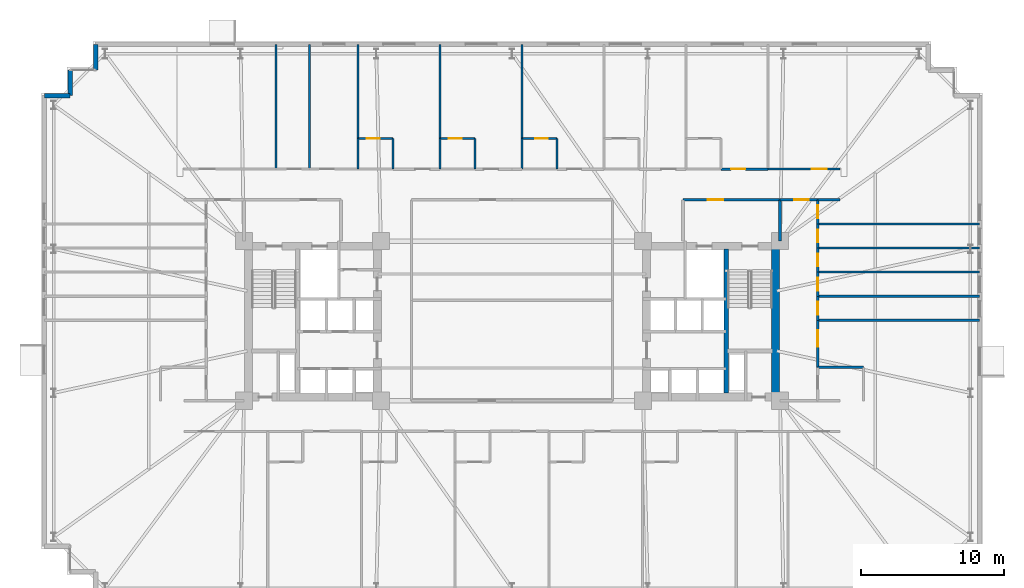
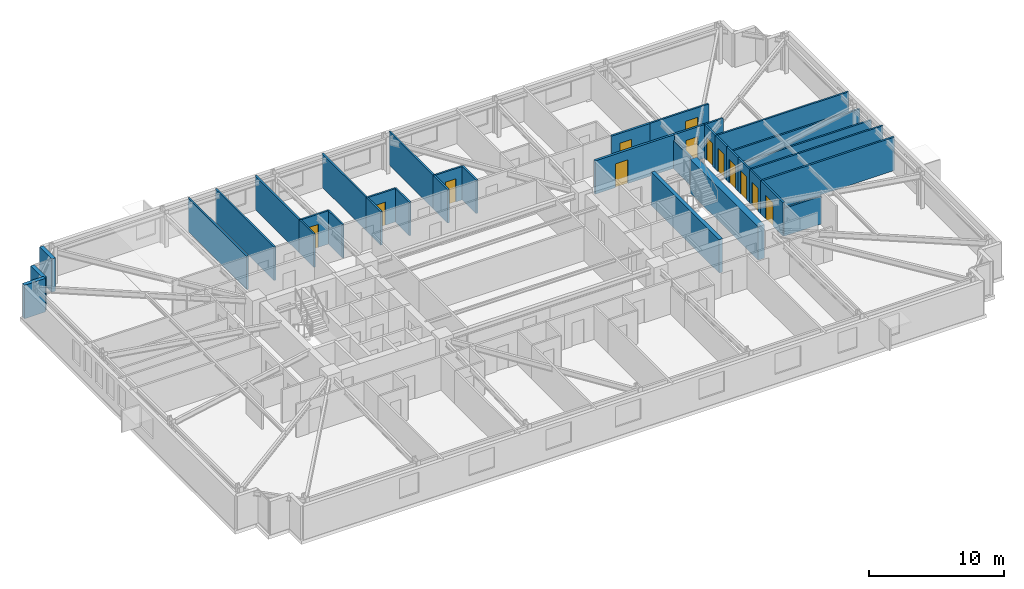
# One storey, part 18 of 22: 37 walls, 13 doors, 13 openings.
"""IFC4 building model written with IfcOpenShell, lengths in metres."""

from ifc_helpers import new_model, si_unit, direction, frame, frame_2d, origin, place, context, subcontext, project, spatial, rectangle, extrude, material, layer, layer_set, type_object, element, fill, save


model = new_model("IFC4")

# Units and contexts
model_context = context("Model", 3, precision=1e-05, world=origin(), true_north=direction((0.0, 1.0)))
body_context = subcontext(model_context, "Body", "Model", "MODEL_VIEW")
ifc_project = project(units=[si_unit("LENGTHUNIT", "METRE"), si_unit("AREAUNIT", "SQUARE_METRE"), si_unit("VOLUMEUNIT", "CUBIC_METRE"), si_unit("PLANEANGLEUNIT", "RADIAN"), si_unit("MASSUNIT", "GRAM", prefix="KILO")], contexts=[model_context])

# Site, building, storey
site_placement = place(None, origin())
site = spatial("IfcSite", under=ifc_project, at=site_placement, CompositionType="ELEMENT")
building_placement = place(site_placement, origin())
building = spatial("IfcBuilding", under=site, at=building_placement, Name="Qobustan Lattice House", CompositionType="ELEMENT")
storey_placement = place(building_placement, frame((0.0, 0.0, 60.5)))
storey = spatial("IfcBuildingStorey", under=building, at=storey_placement, Name="L16", CompositionType="ELEMENT", Elevation=60.5)

# Walls
ifc_material_1 = material(Name="Concrete C60/75", Category="concrete")
ifc_layer_1 = layer(ifc_material_1, 0.56005859375)
ifc_layer_set_1 = layer_set([ifc_layer_1], Name="Concrete C60/75")
wall_type_1 = type_object("IfcWallType", Name="WAL-CORE-600", PredefinedType="SHEAR", material=ifc_layer_set_1)
wall_1_placement = place(storey_placement, frame((18.489990234375, -5.050048828125, 0.0), z_axis=(0.0, 0.0, 1.0), x_axis=(0.0, 1.0, 0.0)))
element("IfcWall", 1, at=wall_1_placement, inside=storey, type_object=wall_type_1, Name="L16 split-core shear wall CE-E", PredefinedType="SHEAR", context=body_context, shape_type="SweptSolid", body=[
    extrude(rectangle(XDim=10.10009765625, YDim=0.56005859375, at=frame_2d((5.050048828125, 0.0))), origin(), (0.0, 0.0, 1.0), 3.034912109375),
])
ifc_material_2 = material(Name="Concrete C50/60", Category="concrete")
ifc_layer_2 = layer(ifc_material_2, 0.280029296875)
ifc_layer_set_2 = layer_set([ifc_layer_2], Name="Concrete C50/60")
wall_type_2 = type_object("IfcWallType", Name="WAL-CORE-SPINE-280", PredefinedType="SHEAR", material=ifc_layer_set_2)
wall_2_placement = place(storey_placement, frame((15.02001953125, -5.050048828125, 0.0), z_axis=(0.0, 0.0, 1.0), x_axis=(0.0, 1.0, 0.0)))
element("IfcWall", 2, at=wall_2_placement, inside=storey, type_object=wall_type_2, Name="L16 split-core shear wall CE-M", PredefinedType="SHEAR", context=body_context, shape_type="SweptSolid", body=[
    extrude(rectangle(XDim=10.10009765625, YDim=0.300048828125, at=frame_2d((5.050048828125, 0.0))), origin(), (0.0, 0.0, 1.0), 3.034912109375),
])
ifc_material_3 = material(Name="Precast concrete C40/50", Category="concrete")
ifc_layer_3 = layer(ifc_material_3, 0.320068359375)
ifc_layer_set_3 = layer_set([ifc_layer_3], Name="Precast concrete C40/50")
wall_type_3 = type_object("IfcWallType", Name="WAL-EXT-STONE-320", PredefinedType="SOLIDWALL", material=ifc_layer_set_3)
for number, where, z_axis, x_axis, name in (
    (3, (-32.800048828125, 15.800048828125, 0.0), (0.0, 0.0, 1.0), (1.0, 0.0, 0.0), "L16 exterior limestone-clad wall 6"),
    (4, (-31.0, 15.800048828125, 0.0), (0.0, 0.0, 1.0), (0.0, 1.0, 0.0), "L16 exterior limestone-clad wall 7"),
):
    element("IfcWall", number, at=place(storey_placement, frame(where, z_axis=z_axis, x_axis=x_axis)), inside=storey, type_object=wall_type_3, Name=name, PredefinedType="SOLIDWALL", context=body_context, shape_type="SweptSolid", body=[
        extrude(rectangle(XDim=1.800048828125, YDim=0.320068359375, at=frame_2d((0.89990234375, 0.0))), origin(), (0.0, 0.0, 1.0), 3.034912109375),
    ])
wall_3_placement = place(storey_placement, frame((-29.199951171875, 17.60009765625, 0.0), z_axis=(0.0, 0.0, 1.0), x_axis=(0.0, 1.0, 0.0)))
element("IfcWall", 5, at=wall_3_placement, inside=storey, type_object=wall_type_3, Name="L16 exterior limestone-clad wall 9", PredefinedType="SOLIDWALL", context=body_context, shape_type="SweptSolid", body=[
    extrude(rectangle(XDim=1.7998046875, YDim=0.320068359375, at=frame_2d((0.89990234375, 0.0))), origin(), (0.0, 0.0, 1.0), 3.034912109375),
])

# Wall, opening, door
ifc_material_4 = material(Name="Gypsum fireboard acoustic partition", Category="gypsum")
ifc_layer_4 = layer(ifc_material_4, 0.179931640625)
ifc_layer_set_4 = layer_set([ifc_layer_4], Name="Gypsum fireboard acoustic partition")
wall_type_4 = type_object("IfcWallType", Name="WAL-FIRE-180", PredefinedType="PARTITIONING", material=ifc_layer_set_4)
wall_4_placement = place(storey_placement, frame((21.449951171875, 8.5, 0.0), z_axis=(0.0, 0.0, 1.0), x_axis=(-1.0, 0.0, 0.0)))
wall_4 = element("IfcWall", 6, at=wall_4_placement, inside=storey, type_object=wall_type_4, Name="L16 interior partition 47", PredefinedType="PARTITIONING", context=body_context, shape_type="SweptSolid", body=[
    extrude(rectangle(XDim=2.64990234375, YDim=0.179931640625, at=frame_2d((1.324951171875, 0.0))), origin(), (0.0, 0.0, 1.0), 3.034912109375),
])
opening_1_placement = place(wall_4_placement, frame((0.64111328125, 0.0, 0.0)))
opening_1 = element("IfcOpeningElement", 7, at=opening_1_placement, cuts=wall_4, Name="Opening FD-02", PredefinedType="OPENING", context=body_context, shape_type="SweptSolid", body=[
    extrude(rectangle(XDim=1.0, YDim=2.14990234375, at=frame_2d((0.5, 1.074951171875))), frame((0.0, 0.099853515625, 0.0), z_axis=(0.0, -1.0, 0.0), x_axis=(1.0, 0.0, 0.0)), (0.0, 0.0, 1.0), 0.199951171875),
])
ifc_material_5 = material(Name="Persian walnut timber and steel frame door", Category="steel")
door_type_1 = type_object("IfcDoorType", Name="DOR-UNIT-FD-1000x2150", OperationType="NOTDEFINED", PredefinedType="DOOR", material=ifc_material_5)
door_1_placement = place(opening_1_placement, origin())
door_1 = element("IfcDoor", 8, at=door_1_placement, inside=storey, type_object=door_type_1, Name="L16 North-east floor corridor to Residence entrance hall L16E door", OperationType="SINGLE_SWING_RIGHT", OverallHeight=2.14990234375, OverallWidth=1.0, PredefinedType="DOOR", context=body_context, shape_type="SweptSolid", body=[
    extrude(rectangle(XDim=1.0, YDim=2.14990234375, at=frame_2d((0.5, 1.074951171875))), frame((0.0, 0.02490234375, 0.0), z_axis=(0.0, -1.0, 0.0), x_axis=(1.0, 0.0, 0.0)), (0.0, 0.0, 1.0), 0.050048828125),
])
fill(opening_1, door_1)

wall_5_placement = place(storey_placement, frame((14.64990234375, 10.64990234375, 0.0), z_axis=(0.0, 0.0, 1.0), x_axis=(1.0, 0.0, 0.0)))
wall_5 = element("IfcWall", 9, at=wall_5_placement, inside=storey, type_object=wall_type_4, Name="L16 interior partition 54", PredefinedType="PARTITIONING", context=body_context, shape_type="SweptSolid", body=[
    extrude(rectangle(XDim=3.300048828125, YDim=0.179931640625, at=frame_2d((1.64990234375, 0.0))), origin(), (0.0, 0.0, 1.0), 3.034912109375),
])
opening_2_placement = place(wall_5_placement, frame((0.722412109375, 0.0, 0.0)))
opening_2 = element("IfcOpeningElement", 10, at=opening_2_placement, cuts=wall_5, Name="Opening FD-02", PredefinedType="OPENING", context=body_context, shape_type="SweptSolid", body=[
    extrude(rectangle(XDim=1.0, YDim=2.14990234375, at=frame_2d((0.5, 1.074951171875))), frame((0.0, 0.099853515625, 0.0), z_axis=(0.0, -1.0, 0.0), x_axis=(1.0, 0.0, 0.0)), (0.0, 0.0, 1.0), 0.199951171875),
])
door_2_placement = place(opening_2_placement, origin())
door_2 = element("IfcDoor", 11, at=door_2_placement, inside=storey, type_object=door_type_1, Name="L16 North-east floor corridor to Kitchenette and studio apartment L16-N7 door", OperationType="SINGLE_SWING_LEFT", OverallHeight=2.14990234375, OverallWidth=1.0, PredefinedType="DOOR", context=body_context, shape_type="SweptSolid", body=[
    extrude(rectangle(XDim=1.0, YDim=2.14990234375, at=frame_2d((0.5, 1.074951171875))), frame((0.0, 0.02490234375, 0.0), z_axis=(0.0, -1.0, 0.0), x_axis=(1.0, 0.0, 0.0)), (0.0, 0.0, 1.0), 0.050048828125),
])
fill(opening_2, door_2)

# Wall
ifc_material_6 = material(Name="Acoustic twin-stud gypsum partition", Category="gypsum")
ifc_layer_5 = layer(ifc_material_6, 0.14990234375)
ifc_layer_set_5 = layer_set([ifc_layer_5], Name="Acoustic twin-stud gypsum partition")
wall_type_5 = type_object("IfcWallType", Name="WAL-PART-150", PredefinedType="PARTITIONING", material=ifc_layer_set_5)
wall_6_placement = place(storey_placement, frame((23.0, 8.5, 0.0), z_axis=(0.0, 0.0, 1.0), x_axis=(-1.0, 0.0, 0.0)))
element("IfcWall", 12, at=wall_6_placement, inside=storey, type_object=wall_type_5, Name="L16 interior partition 48", PredefinedType="PARTITIONING", context=body_context, shape_type="SweptSolid", body=[
    extrude(rectangle(XDim=1.550048828125, YDim=0.14990234375, at=frame_2d((0.77490234375, 0.0))), origin(), (0.0, 0.0, 1.0), 3.034912109375),
])

# Wall, opening, door
wall_7_placement = place(storey_placement, frame((17.949951171875, 10.64990234375, 0.0), z_axis=(0.0, 0.0, 1.0), x_axis=(1.0, 0.0, 0.0)))
wall_7 = element("IfcWall", 13, at=wall_7_placement, inside=storey, type_object=wall_type_5, Name="L16 interior partition 56", PredefinedType="PARTITIONING", context=body_context, shape_type="SweptSolid", body=[
    extrude(rectangle(XDim=5.050048828125, YDim=0.14990234375, at=frame_2d((2.52490234375, 0.0))), origin(), (0.0, 0.0, 1.0), 3.034912109375),
])
opening_3_placement = place(wall_7_placement, frame((3.06494140625, 0.0, 0.0)))
opening_3 = element("IfcOpeningElement", 14, at=opening_3_placement, cuts=wall_7, Name="Opening ID-02", PredefinedType="OPENING", context=body_context, shape_type="SweptSolid", body=[
    extrude(rectangle(XDim=1.050048828125, YDim=2.14990234375, at=frame_2d((0.52490234375, 1.074951171875))), frame((0.0, 0.0849609375, 0.0), z_axis=(0.0, -1.0, 0.0), x_axis=(1.0, 0.0, 0.0)), (0.0, 0.0, 1.0), 0.169921875),
])
ifc_material_7 = material(Name="Persian walnut timber and steel frame door", Category="steel")
door_type_2 = type_object("IfcDoorType", Name="DOR-STUDY-1050x2150", OperationType="NOTDEFINED", PredefinedType="DOOR", material=ifc_material_7)
door_3_placement = place(opening_3_placement, origin())
door_3 = element("IfcDoor", 15, at=door_3_placement, inside=storey, type_object=door_type_2, Name="L16 North-east floor corridor to Focus study room N8 door", OperationType="SINGLE_SWING_RIGHT", OverallHeight=2.14990234375, OverallWidth=1.050048828125, PredefinedType="DOOR", context=body_context, shape_type="SweptSolid", body=[
    extrude(rectangle(XDim=1.050048828125, YDim=2.14990234375, at=frame_2d((0.52490234375, 1.074951171875))), frame((0.0, 0.02490234375, 0.0), z_axis=(0.0, -1.0, 0.0), x_axis=(1.0, 0.0, 0.0)), (0.0, 0.0, 1.0), 0.050048828125),
])
fill(opening_3, door_3)

wall_8_placement = place(storey_placement, frame((21.449951171875, 1.73193359375, 0.0), z_axis=(0.0, 0.0, 1.0), x_axis=(0.0, -1.0, 0.0)))
wall_8 = element("IfcWall", 16, at=wall_8_placement, inside=storey, type_object=wall_type_5, Name="L16 interior partition 98", PredefinedType="PARTITIONING", context=body_context, shape_type="SweptSolid", body=[
    extrude(rectangle(XDim=1.69189453125, YDim=0.14990234375, at=frame_2d((0.845947265625, 0.0))), origin(), (0.0, 0.0, 1.0), 3.034912109375),
])
opening_4_placement = place(wall_8_placement, frame((0.39599609375, 0.0, 0.0)))
opening_4 = element("IfcOpeningElement", 17, at=opening_4_placement, cuts=wall_8, Name="Opening WD-01", PredefinedType="OPENING", context=body_context, shape_type="SweptSolid", body=[
    extrude(rectangle(XDim=0.89990234375, YDim=2.10009765625, at=frame_2d((0.449951171875, 1.050048828125))), frame((0.0, 0.0849609375, 0.0), z_axis=(0.0, -1.0, 0.0), x_axis=(1.0, 0.0, 0.0)), (0.0, 0.0, 1.0), 0.169921875),
])
ifc_material_8 = material(Name="Persian walnut timber and steel frame door", Category="steel")
door_type_3 = type_object("IfcDoorType", Name="DOR-WET-900x2100", OperationType="NOTDEFINED", PredefinedType="DOOR", material=ifc_material_8)
door_4_placement = place(opening_4_placement, origin())
door_4 = element("IfcDoor", 18, at=door_4_placement, inside=storey, type_object=door_type_3, Name="L16 Residence entrance hall L16E to Cluster bedroom L16E1 door", OperationType="SINGLE_SWING_LEFT", OverallHeight=2.10009765625, OverallWidth=0.89990234375, PredefinedType="DOOR", context=body_context, shape_type="SweptSolid", body=[
    extrude(rectangle(XDim=0.89990234375, YDim=2.10009765625, at=frame_2d((0.449951171875, 1.050048828125))), frame((0.0, 0.02490234375, 0.0), z_axis=(0.0, -1.0, 0.0), x_axis=(1.0, 0.0, 0.0)), (0.0, 0.0, 1.0), 0.050048828125),
])
fill(opening_4, door_4)

wall_9_placement = place(storey_placement, frame((21.449951171875, 3.424072265625, 0.0), z_axis=(0.0, 0.0, 1.0), x_axis=(0.0, -1.0, 0.0)))
wall_9 = element("IfcWall", 19, at=wall_9_placement, inside=storey, type_object=wall_type_5, Name="L16 interior partition 99", PredefinedType="PARTITIONING", context=body_context, shape_type="SweptSolid", body=[
    extrude(rectangle(XDim=1.692138671875, YDim=0.14990234375, at=frame_2d((0.84619140625, 0.0))), origin(), (0.0, 0.0, 1.0), 3.034912109375),
])
opening_5_placement = place(wall_9_placement, frame((0.39599609375, 0.0, 0.0)))
opening_5 = element("IfcOpeningElement", 20, at=opening_5_placement, cuts=wall_9, Name="Opening WD-01", PredefinedType="OPENING", context=body_context, shape_type="SweptSolid", body=[
    extrude(rectangle(XDim=0.89990234375, YDim=2.10009765625, at=frame_2d((0.449951171875, 1.050048828125))), frame((0.0, 0.0849609375, 0.0), z_axis=(0.0, -1.0, 0.0), x_axis=(1.0, 0.0, 0.0)), (0.0, 0.0, 1.0), 0.169921875),
])
door_5_placement = place(opening_5_placement, origin())
door_5 = element("IfcDoor", 21, at=door_5_placement, inside=storey, type_object=door_type_3, Name="L16 Residence entrance hall L16E to Cluster bedroom L16E2 door", OperationType="SINGLE_SWING_RIGHT", OverallHeight=2.10009765625, OverallWidth=0.89990234375, PredefinedType="DOOR", context=body_context, shape_type="SweptSolid", body=[
    extrude(rectangle(XDim=0.89990234375, YDim=2.10009765625, at=frame_2d((0.449951171875, 1.050048828125))), frame((0.0, 0.02490234375, 0.0), z_axis=(0.0, -1.0, 0.0), x_axis=(1.0, 0.0, 0.0)), (0.0, 0.0, 1.0), 0.050048828125),
])
fill(opening_5, door_5)

wall_10_placement = place(storey_placement, frame((21.449951171875, 5.115966796875, 0.0), z_axis=(0.0, 0.0, 1.0), x_axis=(0.0, -1.0, 0.0)))
wall_10 = element("IfcWall", 22, at=wall_10_placement, inside=storey, type_object=wall_type_5, Name="L16 interior partition 100", PredefinedType="PARTITIONING", context=body_context, shape_type="SweptSolid", body=[
    extrude(rectangle(XDim=1.69189453125, YDim=0.14990234375, at=frame_2d((0.845947265625, 0.0))), origin(), (0.0, 0.0, 1.0), 3.034912109375),
])
opening_6_placement = place(wall_10_placement, frame((0.39599609375, 0.0, 0.0)))
opening_6 = element("IfcOpeningElement", 23, at=opening_6_placement, cuts=wall_10, Name="Opening WD-01", PredefinedType="OPENING", context=body_context, shape_type="SweptSolid", body=[
    extrude(rectangle(XDim=0.89990234375, YDim=2.10009765625, at=frame_2d((0.449951171875, 1.050048828125))), frame((0.0, 0.0849609375, 0.0), z_axis=(0.0, -1.0, 0.0), x_axis=(1.0, 0.0, 0.0)), (0.0, 0.0, 1.0), 0.169921875),
])
door_6_placement = place(opening_6_placement, origin())
door_6 = element("IfcDoor", 24, at=door_6_placement, inside=storey, type_object=door_type_3, Name="L16 Residence entrance hall L16E to Cluster bedroom L16E3 door", OperationType="SINGLE_SWING_LEFT", OverallHeight=2.10009765625, OverallWidth=0.89990234375, PredefinedType="DOOR", context=body_context, shape_type="SweptSolid", body=[
    extrude(rectangle(XDim=0.89990234375, YDim=2.10009765625, at=frame_2d((0.449951171875, 1.050048828125))), frame((0.0, 0.02490234375, 0.0), z_axis=(0.0, -1.0, 0.0), x_axis=(1.0, 0.0, 0.0)), (0.0, 0.0, 1.0), 0.050048828125),
])
fill(opening_6, door_6)

wall_11_placement = place(storey_placement, frame((21.449951171875, 6.80810546875, 0.0), z_axis=(0.0, 0.0, 1.0), x_axis=(0.0, -1.0, 0.0)))
wall_11 = element("IfcWall", 25, at=wall_11_placement, inside=storey, type_object=wall_type_5, Name="L16 interior partition 101", PredefinedType="PARTITIONING", context=body_context, shape_type="SweptSolid", body=[
    extrude(rectangle(XDim=1.692138671875, YDim=0.14990234375, at=frame_2d((0.84619140625, 0.0))), origin(), (0.0, 0.0, 1.0), 3.034912109375),
])
opening_7_placement = place(wall_11_placement, frame((0.39599609375, 0.0, 0.0)))
opening_7 = element("IfcOpeningElement", 26, at=opening_7_placement, cuts=wall_11, Name="Opening WD-01", PredefinedType="OPENING", context=body_context, shape_type="SweptSolid", body=[
    extrude(rectangle(XDim=0.89990234375, YDim=2.10009765625, at=frame_2d((0.449951171875, 1.050048828125))), frame((0.0, 0.0849609375, 0.0), z_axis=(0.0, -1.0, 0.0), x_axis=(1.0, 0.0, 0.0)), (0.0, 0.0, 1.0), 0.169921875),
])
door_7_placement = place(opening_7_placement, origin())
door_7 = element("IfcDoor", 27, at=door_7_placement, inside=storey, type_object=door_type_3, Name="L16 Residence entrance hall L16E to Cluster bedroom L16E4 door", OperationType="SINGLE_SWING_RIGHT", OverallHeight=2.10009765625, OverallWidth=0.89990234375, PredefinedType="DOOR", context=body_context, shape_type="SweptSolid", body=[
    extrude(rectangle(XDim=0.89990234375, YDim=2.10009765625, at=frame_2d((0.449951171875, 1.050048828125))), frame((0.0, 0.02490234375, 0.0), z_axis=(0.0, -1.0, 0.0), x_axis=(1.0, 0.0, 0.0)), (0.0, 0.0, 1.0), 0.050048828125),
])
fill(opening_7, door_7)

wall_12_placement = place(storey_placement, frame((21.449951171875, 8.5, 0.0), z_axis=(0.0, 0.0, 1.0), x_axis=(0.0, -1.0, 0.0)))
wall_12 = element("IfcWall", 28, at=wall_12_placement, inside=storey, type_object=wall_type_5, Name="L16 interior partition 102", PredefinedType="PARTITIONING", context=body_context, shape_type="SweptSolid", body=[
    extrude(rectangle(XDim=1.69189453125, YDim=0.14990234375, at=frame_2d((0.845947265625, 0.0))), origin(), (0.0, 0.0, 1.0), 3.034912109375),
])
opening_8_placement = place(wall_12_placement, frame((0.39599609375, 0.0, 0.0)))
opening_8 = element("IfcOpeningElement", 29, at=opening_8_placement, cuts=wall_12, Name="Opening WD-01", PredefinedType="OPENING", context=body_context, shape_type="SweptSolid", body=[
    extrude(rectangle(XDim=0.89990234375, YDim=2.10009765625, at=frame_2d((0.449951171875, 1.050048828125))), frame((0.0, 0.0849609375, 0.0), z_axis=(0.0, -1.0, 0.0), x_axis=(1.0, 0.0, 0.0)), (0.0, 0.0, 1.0), 0.169921875),
])
door_8_placement = place(opening_8_placement, origin())
door_8 = element("IfcDoor", 30, at=door_8_placement, inside=storey, type_object=door_type_3, Name="L16 Residence entrance hall L16E to Cluster bedroom L16E5 door", OperationType="SINGLE_SWING_LEFT", OverallHeight=2.10009765625, OverallWidth=0.89990234375, PredefinedType="DOOR", context=body_context, shape_type="SweptSolid", body=[
    extrude(rectangle(XDim=0.89990234375, YDim=2.10009765625, at=frame_2d((0.449951171875, 1.050048828125))), frame((0.0, 0.02490234375, 0.0), z_axis=(0.0, -1.0, 0.0), x_axis=(1.0, 0.0, 0.0)), (0.0, 0.0, 1.0), 0.050048828125),
])
fill(opening_8, door_8)

# Walls
wall_13_placement = place(storey_placement, frame((21.449951171875, 1.73193359375, 0.0), z_axis=(0.0, 0.0, 1.0), x_axis=(1.0, 0.0, 0.0)))
element("IfcWall", 31, at=wall_13_placement, inside=storey, type_object=wall_type_5, Name="L16 interior partition 106", PredefinedType="PARTITIONING", context=body_context, shape_type="SweptSolid", body=[
    extrude(rectangle(XDim=11.35009765625, YDim=0.14990234375, at=frame_2d((5.675048828125, 0.0))), origin(), (0.0, 0.0, 1.0), 3.034912109375),
])
for number, where, z_axis, x_axis, name in (
    (32, (21.449951171875, 3.424072265625, 0.0), (0.0, 0.0, 1.0), (1.0, 0.0, 0.0), "L16 interior partition 107"),
    (33, (21.449951171875, 5.115966796875, 0.0), (0.0, 0.0, 1.0), (1.0, 0.0, 0.0), "L16 interior partition 108"),
):
    element("IfcWall", number, at=place(storey_placement, frame(where, z_axis=z_axis, x_axis=x_axis)), inside=storey, type_object=wall_type_5, Name=name, PredefinedType="PARTITIONING", context=body_context, shape_type="SweptSolid", body=[
        extrude(rectangle(XDim=11.35009765625, YDim=0.14990234375, at=frame_2d((5.675048828125, 0.0))), origin(), (0.0, 0.0, 1.0), 2.52001953125),
    ])
wall_14_placement = place(storey_placement, frame((21.449951171875, 6.80810546875, 0.0), z_axis=(0.0, 0.0, 1.0), x_axis=(1.0, 0.0, 0.0)))
element("IfcWall", 34, at=wall_14_placement, inside=storey, type_object=wall_type_5, Name="L16 interior partition 109", PredefinedType="PARTITIONING", context=body_context, shape_type="SweptSolid", body=[
    extrude(rectangle(XDim=11.35009765625, YDim=0.14990234375, at=frame_2d((5.675048828125, 0.0))), origin(), (0.0, 0.0, 1.0), 3.034912109375),
])
for number, where, z_axis, x_axis, name in (
    (35, (-10.800048828125, 19.39990234375, 0.0), (0.0, 0.0, 1.0), (0.0, -1.0, 0.0), "L16 interior partition 112"),
    (36, (-5.050048828125, 19.39990234375, 0.0), (0.0, 0.0, 1.0), (0.0, -1.0, 0.0), "L16 interior partition 116"),
    (37, (0.699951171875, 19.39990234375, 0.0), (0.0, 0.0, 1.0), (0.0, -1.0, 0.0), "L16 interior partition 120"),
):
    element("IfcWall", number, at=place(storey_placement, frame(where, z_axis=z_axis, x_axis=x_axis)), inside=storey, type_object=wall_type_5, Name=name, PredefinedType="PARTITIONING", context=body_context, shape_type="SweptSolid", body=[
        extrude(rectangle(XDim=6.599853515625, YDim=0.14990234375, at=frame_2d((3.2998046875, 0.0))), origin(), (0.0, 0.0, 1.0), 3.034912109375),
    ])

# Wall, opening, door
ifc_material_9 = material(Name="High-mass acoustic twin-stud partition", Category="gypsum")
ifc_layer_6 = layer(ifc_material_9, 0.1650390625)
ifc_layer_set_6 = layer_set([ifc_layer_6], Name="High-mass acoustic twin-stud partition")
wall_type_6 = type_object("IfcWallType", Name="WAL-PART-165", PredefinedType="PARTITIONING", material=ifc_layer_set_6)
wall_15_placement = place(storey_placement, frame((21.449951171875, 0.0400390625, 0.0), z_axis=(0.0, 0.0, 1.0), x_axis=(0.0, -1.0, 0.0)))
wall_15 = element("IfcWall", 38, at=wall_15_placement, inside=storey, type_object=wall_type_6, Name="L16 interior partition 97", PredefinedType="PARTITIONING", context=body_context, shape_type="SweptSolid", body=[
    extrude(rectangle(XDim=3.2900390625, YDim=0.1650390625, at=frame_2d((1.64501953125, 0.0))), origin(), (0.0, 0.0, 1.0), 3.034912109375),
])
opening_9_placement = place(wall_15_placement, frame((0.702392578125, 0.0, 0.0)))
opening_9 = element("IfcOpeningElement", 39, at=opening_9_placement, cuts=wall_15, Name="Opening ID-03", PredefinedType="OPENING", context=body_context, shape_type="SweptSolid", body=[
    extrude(rectangle(XDim=1.14990234375, YDim=2.14990234375, at=frame_2d((0.574951171875, 1.074951171875))), frame((0.0, 0.092529296875, 0.0), z_axis=(0.0, -1.0, 0.0), x_axis=(1.0, 0.0, 0.0)), (0.0, 0.0, 1.0), 0.18505859375),
])
ifc_material_10 = material(Name="Persian walnut timber and steel frame door", Category="steel")
door_type_4 = type_object("IfcDoorType", Name="DOR-KITCH-1150x2150", OperationType="NOTDEFINED", PredefinedType="DOOR", material=ifc_material_10)
door_9_placement = place(opening_9_placement, origin())
door_9 = element("IfcDoor", 40, at=door_9_placement, inside=storey, type_object=door_type_4, Name="L16 Residence entrance hall L16E to Shared kitchen L16E door", OperationType="SINGLE_SWING_RIGHT", OverallHeight=2.14990234375, OverallWidth=1.14990234375, PredefinedType="DOOR", context=body_context, shape_type="SweptSolid", body=[
    extrude(rectangle(XDim=1.14990234375, YDim=2.14990234375, at=frame_2d((0.574951171875, 1.074951171875))), frame((0.0, 0.02490234375, 0.0), z_axis=(0.0, -1.0, 0.0), x_axis=(1.0, 0.0, 0.0)), (0.0, 0.0, 1.0), 0.050048828125),
])
fill(opening_9, door_9)

# Wall
wall_16_placement = place(storey_placement, frame((21.449951171875, 0.0400390625, 0.0), z_axis=(0.0, 0.0, 1.0), x_axis=(1.0, 0.0, 0.0)))
element("IfcWall", 41, at=wall_16_placement, inside=storey, type_object=wall_type_6, Name="L16 interior partition 105", PredefinedType="PARTITIONING", context=body_context, shape_type="SweptSolid", body=[
    extrude(rectangle(XDim=11.35009765625, YDim=0.1650390625, at=frame_2d((5.675048828125, 0.0))), origin(), (0.0, 0.0, 1.0), 3.034912109375),
])

# Wall, opening, door
ifc_material_11 = material(Name="Two-hour gypsum fireboard acoustic partition", Category="gypsum")
ifc_layer_7 = layer(ifc_material_11, 0.199951171875)
ifc_layer_set_7 = layer_set([ifc_layer_7], Name="Two-hour gypsum fireboard acoustic partition")
wall_type_7 = type_object("IfcWallType", Name="WAL-PROT-200", PredefinedType="PARTITIONING", material=ifc_layer_set_7)
wall_17_placement = place(storey_placement, frame((18.800048828125, 8.5, 0.0), z_axis=(0.0, 0.0, 1.0), x_axis=(-1.0, 0.0, 0.0)))
wall_17 = element("IfcWall", 42, at=wall_17_placement, inside=storey, type_object=wall_type_7, Name="L16 interior partition 22", PredefinedType="PARTITIONING", context=body_context, shape_type="SweptSolid", body=[
    extrude(rectangle(XDim=6.800048828125, YDim=0.199951171875, at=frame_2d((3.39990234375, 0.0))), origin(), (0.0, 0.0, 1.0), 3.034912109375),
])
opening_10_placement = place(wall_17_placement, frame((3.985107421875, 0.0, 0.0)))
opening_10 = element("IfcOpeningElement", 43, at=opening_10_placement, cuts=wall_17, Name="Opening SD-01", PredefinedType="OPENING", context=body_context, shape_type="SweptSolid", body=[
    extrude(rectangle(XDim=1.10009765625, YDim=2.14990234375, at=frame_2d((0.550048828125, 1.074951171875))), frame((0.0, 0.10986328125, 0.0), z_axis=(0.0, -1.0, 0.0), x_axis=(1.0, 0.0, 0.0)), (0.0, 0.0, 1.0), 0.219970703125),
])
ifc_material_12 = material(Name="Persian walnut timber and steel frame door", Category="steel")
door_type_5 = type_object("IfcDoorType", Name="DOR-STAIR-FD-1100x2150", OperationType="NOTDEFINED", PredefinedType="DOOR", material=ifc_material_12)
door_10_placement = place(opening_10_placement, origin())
door_10 = element("IfcDoor", 44, at=door_10_placement, inside=storey, type_object=door_type_5, Name="L16 East firefighting lift lobby to North-east floor corridor door", OperationType="SINGLE_SWING_RIGHT", OverallHeight=2.14990234375, OverallWidth=1.10009765625, PredefinedType="DOOR", context=body_context, shape_type="SweptSolid", body=[
    extrude(rectangle(XDim=1.10009765625, YDim=2.14990234375, at=frame_2d((0.550048828125, 1.074951171875))), frame((0.0, 0.02490234375, 0.0), z_axis=(0.0, -1.0, 0.0), x_axis=(1.0, 0.0, 0.0)), (0.0, 0.0, 1.0), 0.050048828125),
])
fill(opening_10, door_10)

# Walls
wall_18_placement = place(storey_placement, frame((18.800048828125, 5.60009765625, 0.0), z_axis=(0.0, 0.0, 1.0), x_axis=(0.0, 1.0, 0.0)))
element("IfcWall", 45, at=wall_18_placement, inside=storey, type_object=wall_type_7, Name="L16 interior partition 24", PredefinedType="PARTITIONING", context=body_context, shape_type="SweptSolid", body=[
    extrude(rectangle(XDim=2.89990234375, YDim=0.199951171875, at=frame_2d((1.449951171875, 0.0))), origin(), (0.0, 0.0, 1.0), 2.52001953125),
])
ifc_material_13 = material(Name="Moisture-resistant acoustic plumbing wall", Category="gypsum")
ifc_layer_8 = layer(ifc_material_13, 0.14990234375)
ifc_layer_set_8 = layer_set([ifc_layer_8], Name="Moisture-resistant acoustic plumbing wall")
wall_type_8 = type_object("IfcWallType", Name="WAL-WET-150", PredefinedType="PLUMBINGWALL", material=ifc_layer_set_8)
wall_19_placement = place(storey_placement, frame((21.449951171875, -3.25, 0.0), z_axis=(0.0, 0.0, 1.0), x_axis=(1.0, 0.0, 0.0)))
element("IfcWall", 46, at=wall_19_placement, inside=storey, type_object=wall_type_8, Name="L16 interior partition 103", PredefinedType="PLUMBINGWALL", context=body_context, shape_type="SweptSolid", body=[
    extrude(rectangle(XDim=3.199951171875, YDim=0.14990234375, at=frame_2d((1.60009765625, 0.0))), origin(), (0.0, 0.0, 1.0), 2.52001953125),
])
for number, where, z_axis, x_axis, name in (
    (47, (-16.550048828125, 19.39990234375, 0.0), (0.0, 0.0, 1.0), (0.0, -1.0, 0.0), "L16 interior partition 110"),
    (48, (-14.199951171875, 19.39990234375, 0.0), (0.0, 0.0, 1.0), (0.0, -1.0, 0.0), "L16 interior partition 111"),
):
    element("IfcWall", number, at=place(storey_placement, frame(where, z_axis=z_axis, x_axis=x_axis)), inside=storey, type_object=wall_type_8, Name=name, PredefinedType="PLUMBINGWALL", context=body_context, shape_type="SweptSolid", body=[
        extrude(rectangle(XDim=8.75, YDim=0.14990234375, at=frame_2d((4.375, 0.0))), origin(), (0.0, 0.0, 1.0), 3.034912109375),
    ])
wall_20_placement = place(storey_placement, frame((-10.800048828125, 12.800048828125, 0.0), z_axis=(0.0, 0.0, 1.0), x_axis=(0.0, -1.0, 0.0)))
element("IfcWall", 49, at=wall_20_placement, inside=storey, type_object=wall_type_8, Name="L16 interior partition 113", PredefinedType="PLUMBINGWALL", context=body_context, shape_type="SweptSolid", body=[
    extrude(rectangle(XDim=2.150146484375, YDim=0.14990234375, at=frame_2d((1.0751953125, 0.0))), origin(), (0.0, 0.0, 1.0), 3.034912109375),
])

# Wall, opening, door
wall_21_placement = place(storey_placement, frame((-8.35009765625, 12.800048828125, 0.0), z_axis=(0.0, 0.0, 1.0), x_axis=(-1.0, 0.0, 0.0)))
wall_21 = element("IfcWall", 50, at=wall_21_placement, inside=storey, type_object=wall_type_8, Name="L16 interior partition 114", PredefinedType="PLUMBINGWALL", context=body_context, shape_type="SweptSolid", body=[
    extrude(rectangle(XDim=2.449951171875, YDim=0.14990234375, at=frame_2d((1.22509765625, 0.0))), origin(), (0.0, 0.0, 1.0), 3.034912109375),
])
opening_11_placement = place(wall_21_placement, frame((0.92138671875, 0.0, 0.0)))
opening_11 = element("IfcOpeningElement", 51, at=opening_11_placement, cuts=wall_21, Name="Opening WD-01", PredefinedType="OPENING", context=body_context, shape_type="SweptSolid", body=[
    extrude(rectangle(XDim=0.89990234375, YDim=2.10009765625, at=frame_2d((0.449951171875, 1.050048828125))), frame((0.0, 0.0849609375, 0.0), z_axis=(0.0, -1.0, 0.0), x_axis=(1.0, 0.0, 0.0)), (0.0, 0.0, 1.0), 0.169921875),
])
door_11_placement = place(opening_11_placement, origin())
door_11 = element("IfcDoor", 52, at=door_11_placement, inside=storey, type_object=door_type_3, Name="L16 Kitchenette and studio apartment L16-N3 to En-suite bathroom L16-N3 door", OperationType="SINGLE_SWING_RIGHT", OverallHeight=2.10009765625, OverallWidth=0.89990234375, PredefinedType="DOOR", context=body_context, shape_type="SweptSolid", body=[
    extrude(rectangle(XDim=0.89990234375, YDim=2.10009765625, at=frame_2d((0.449951171875, 1.050048828125))), frame((0.0, 0.02490234375, 0.0), z_axis=(0.0, -1.0, 0.0), x_axis=(1.0, 0.0, 0.0)), (0.0, 0.0, 1.0), 0.050048828125),
])
fill(opening_11, door_11)

# Walls
for number, where, z_axis, x_axis, name in (
    (53, (-8.35009765625, 10.64990234375, 0.0), (0.0, 0.0, 1.0), (0.0, 1.0, 0.0), "L16 interior partition 115"),
    (54, (-5.050048828125, 12.800048828125, 0.0), (0.0, 0.0, 1.0), (0.0, -1.0, 0.0), "L16 interior partition 117"),
):
    element("IfcWall", number, at=place(storey_placement, frame(where, z_axis=z_axis, x_axis=x_axis)), inside=storey, type_object=wall_type_8, Name=name, PredefinedType="PLUMBINGWALL", context=body_context, shape_type="SweptSolid", body=[
        extrude(rectangle(XDim=2.150146484375, YDim=0.14990234375, at=frame_2d((1.0751953125, 0.0))), origin(), (0.0, 0.0, 1.0), 3.034912109375),
    ])

# Wall, opening, door
wall_22_placement = place(storey_placement, frame((-2.60009765625, 12.800048828125, 0.0), z_axis=(0.0, 0.0, 1.0), x_axis=(-1.0, 0.0, 0.0)))
wall_22 = element("IfcWall", 55, at=wall_22_placement, inside=storey, type_object=wall_type_8, Name="L16 interior partition 118", PredefinedType="PLUMBINGWALL", context=body_context, shape_type="SweptSolid", body=[
    extrude(rectangle(XDim=2.449951171875, YDim=0.14990234375, at=frame_2d((1.22509765625, 0.0))), origin(), (0.0, 0.0, 1.0), 3.034912109375),
])
opening_12_placement = place(wall_22_placement, frame((0.921142578125, 0.0, 0.0)))
opening_12 = element("IfcOpeningElement", 56, at=opening_12_placement, cuts=wall_22, Name="Opening WD-01", PredefinedType="OPENING", context=body_context, shape_type="SweptSolid", body=[
    extrude(rectangle(XDim=0.89990234375, YDim=2.10009765625, at=frame_2d((0.449951171875, 1.050048828125))), frame((0.0, 0.0849609375, 0.0), z_axis=(0.0, -1.0, 0.0), x_axis=(1.0, 0.0, 0.0)), (0.0, 0.0, 1.0), 0.169921875),
])
door_12_placement = place(opening_12_placement, origin())
door_12 = element("IfcDoor", 57, at=door_12_placement, inside=storey, type_object=door_type_3, Name="L16 Kitchenette and studio apartment L16-N4 to En-suite bathroom L16-N4 door", OperationType="SINGLE_SWING_LEFT", OverallHeight=2.10009765625, OverallWidth=0.89990234375, PredefinedType="DOOR", context=body_context, shape_type="SweptSolid", body=[
    extrude(rectangle(XDim=0.89990234375, YDim=2.10009765625, at=frame_2d((0.449951171875, 1.050048828125))), frame((0.0, 0.02490234375, 0.0), z_axis=(0.0, -1.0, 0.0), x_axis=(1.0, 0.0, 0.0)), (0.0, 0.0, 1.0), 0.050048828125),
])
fill(opening_12, door_12)

# Walls
for number, where, z_axis, x_axis, name in (
    (58, (-2.60009765625, 10.64990234375, 0.0), (0.0, 0.0, 1.0), (0.0, 1.0, 0.0), "L16 interior partition 119"),
    (59, (0.699951171875, 12.800048828125, 0.0), (0.0, 0.0, 1.0), (0.0, -1.0, 0.0), "L16 interior partition 121"),
):
    element("IfcWall", number, at=place(storey_placement, frame(where, z_axis=z_axis, x_axis=x_axis)), inside=storey, type_object=wall_type_8, Name=name, PredefinedType="PLUMBINGWALL", context=body_context, shape_type="SweptSolid", body=[
        extrude(rectangle(XDim=2.150146484375, YDim=0.14990234375, at=frame_2d((1.0751953125, 0.0))), origin(), (0.0, 0.0, 1.0), 3.034912109375),
    ])

# Wall, opening, door
wall_23_placement = place(storey_placement, frame((3.14990234375, 12.800048828125, 0.0), z_axis=(0.0, 0.0, 1.0), x_axis=(-1.0, 0.0, 0.0)))
wall_23 = element("IfcWall", 60, at=wall_23_placement, inside=storey, type_object=wall_type_8, Name="L16 interior partition 122", PredefinedType="PLUMBINGWALL", context=body_context, shape_type="SweptSolid", body=[
    extrude(rectangle(XDim=2.449951171875, YDim=0.14990234375, at=frame_2d((1.22509765625, 0.0))), origin(), (0.0, 0.0, 1.0), 3.034912109375),
])
opening_13_placement = place(wall_23_placement, frame((0.62890625, 0.0, 0.0)))
opening_13 = element("IfcOpeningElement", 61, at=opening_13_placement, cuts=wall_23, Name="Opening WD-01", PredefinedType="OPENING", context=body_context, shape_type="SweptSolid", body=[
    extrude(rectangle(XDim=0.89990234375, YDim=2.10009765625, at=frame_2d((0.449951171875, 1.050048828125))), frame((0.0, 0.0849609375, 0.0), z_axis=(0.0, -1.0, 0.0), x_axis=(1.0, 0.0, 0.0)), (0.0, 0.0, 1.0), 0.169921875),
])
door_13_placement = place(opening_13_placement, origin())
door_13 = element("IfcDoor", 62, at=door_13_placement, inside=storey, type_object=door_type_3, Name="L16 Kitchenette and studio apartment L16-N5 to En-suite bathroom L16-N5 door", OperationType="SINGLE_SWING_RIGHT", OverallHeight=2.10009765625, OverallWidth=0.89990234375, PredefinedType="DOOR", context=body_context, shape_type="SweptSolid", body=[
    extrude(rectangle(XDim=0.89990234375, YDim=2.10009765625, at=frame_2d((0.449951171875, 1.050048828125))), frame((0.0, 0.02490234375, 0.0), z_axis=(0.0, -1.0, 0.0), x_axis=(1.0, 0.0, 0.0)), (0.0, 0.0, 1.0), 0.050048828125),
])
fill(opening_13, door_13)

# Wall
wall_24_placement = place(storey_placement, frame((3.14990234375, 10.64990234375, 0.0), z_axis=(0.0, 0.0, 1.0), x_axis=(0.0, 1.0, 0.0)))
element("IfcWall", 63, at=wall_24_placement, inside=storey, type_object=wall_type_8, Name="L16 interior partition 123", PredefinedType="PLUMBINGWALL", context=body_context, shape_type="SweptSolid", body=[
    extrude(rectangle(XDim=2.150146484375, YDim=0.14990234375, at=frame_2d((1.0751953125, 0.0))), origin(), (0.0, 0.0, 1.0), 3.034912109375),
])

save(model, "model.ifc")
